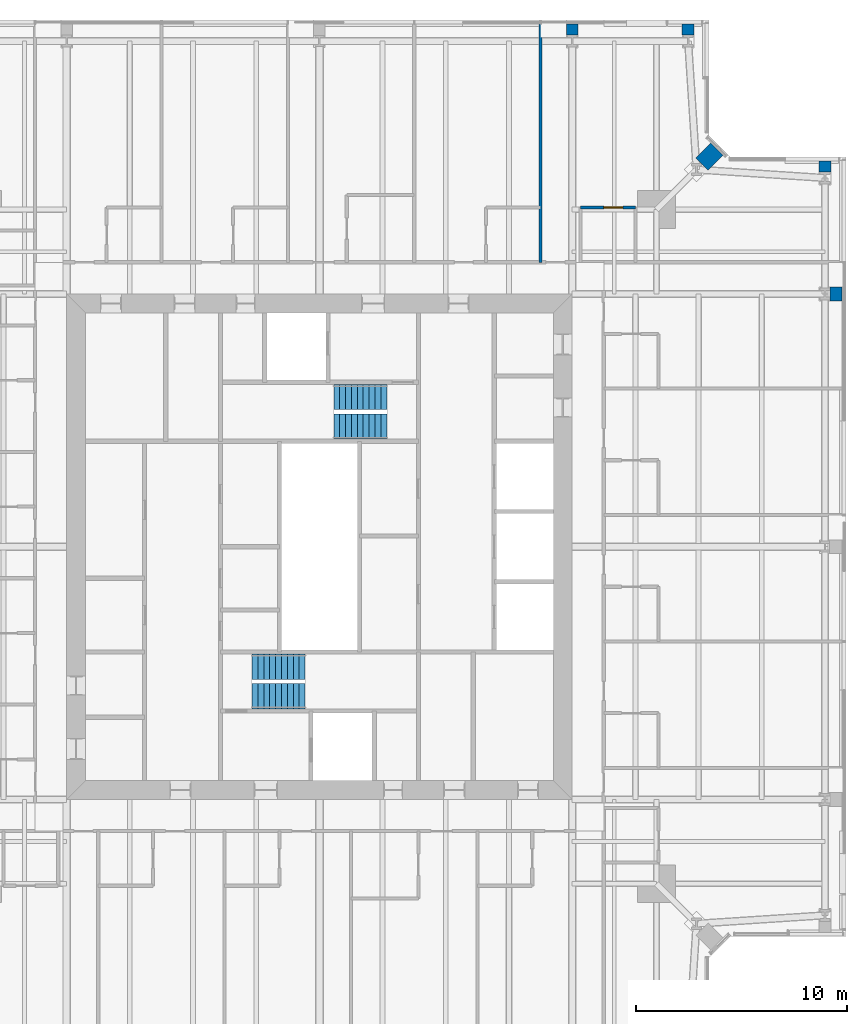
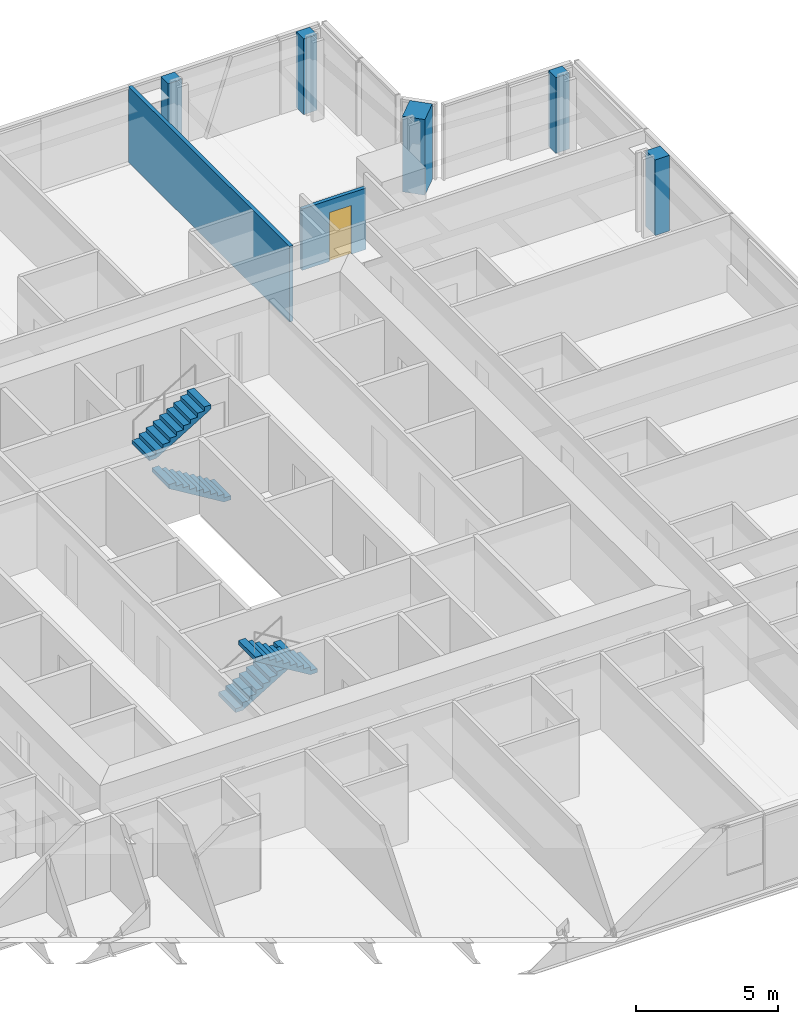
# One storey, part 15 of 20: 7 walls, 4 stair flights, 1 door, 1 opening, 2 elements without a shape of their own.
"""IFC4 building model written with IfcOpenShell, lengths in metres."""

import ifcopenshell
import ifcopenshell.guid

model = None  # the IFC model being written
_history = None  # IfcOwnerHistory: only IFC2X3 demands one
_inside = {}  # id of a spatial element -> (the spatial element, [elements in it])
_under = {}  # id of a project, library or spatial element -> (it, [spatial elements below it])
_declared = {}  # id of a project -> (the project, [libraries it declares])
_typed = {}  # id of a type object -> (the type object, [elements of that type])
_made_of = {}  # id of a material, layer set ... -> (it, [elements and type objects made of it])


def new_model(schema):
    """Start an empty IFC model of exactly this schema.

    Asked for "IFC4X3", IfcOpenShell would pick the latest addendum, in which some entities
    have other attributes; the version numbers below select the first issue.
    IFC2X3 requires an IfcOwnerHistory on every rooted entity: one is made here for all.
    """
    global model, _history
    if schema == "IFC4X3":
        model = ifcopenshell.file(schema_version=(4, 3, 0, 0))
    else:
        model = ifcopenshell.file(schema=schema)
    _inside.clear()
    _under.clear()
    _declared.clear()
    _typed.clear()
    _made_of.clear()
    _history = None
    if model.schema == "IFC2X3":
        org = make("IfcOrganization", Name="unknown")
        user = make(
            "IfcPersonAndOrganization",
            ThePerson=make("IfcPerson", FamilyName="unknown"),
            TheOrganization=org,
        )
        app = make(
            "IfcApplication",
            ApplicationDeveloper=org,
            Version="unknown",
            ApplicationFullName="unknown",
            ApplicationIdentifier="unknown",
        )
        _history = make(
            "IfcOwnerHistory",
            OwningUser=user,
            OwningApplication=app,
            ChangeAction="ADDED",
            CreationDate=0,
        )
    return model


def make(cls, **values):
    """One entity of the class cls with the attributes given. An attribute that is None is left unset."""
    return model.create_entity(
        cls, **{name: value for name, value in values.items() if value is not None}
    )


def rooted(cls, **values):
    """An entity with a GlobalId (a new one), such as an element, a storey or a relation."""
    return make(cls, GlobalId=ifcopenshell.guid.new(), OwnerHistory=_history, **values)


def si_unit(unit_type, name, prefix=None):
    """IfcSIUnit, for example si_unit("LENGTHUNIT", "METRE", prefix="MILLI")."""
    return make("IfcSIUnit", UnitType=unit_type, Prefix=prefix, Name=name)


def assignment(units):
    """IfcUnitAssignment: the units of a project."""
    return None if units is None else make("IfcUnitAssignment", Units=units)


def point(xyz):
    """IfcCartesianPoint."""
    return None if xyz is None else make("IfcCartesianPoint", Coordinates=xyz)


def direction(xyz):
    """IfcDirection."""
    return None if xyz is None else make("IfcDirection", DirectionRatios=xyz)


def frame(location, z_axis=None, x_axis=None):
    """IfcAxis2Placement3D, a coordinate frame: its origin and axes. An axis left out is left unset."""
    return make(
        "IfcAxis2Placement3D",
        Location=point(location),
        Axis=direction(z_axis),
        RefDirection=direction(x_axis),
    )


def frame_2d(location, x_axis=None):
    """IfcAxis2Placement2D, a coordinate frame in the plane: its origin and x axis."""
    return make(
        "IfcAxis2Placement2D", Location=point(location), RefDirection=direction(x_axis)
    )


def origin():
    """The frame at (0, 0, 0) with its axes left unset."""
    return frame((0.0, 0.0, 0.0))


def place(relative_to, where):
    """IfcLocalPlacement: puts the frame where relative to a parent placement (None: the world)."""
    return make(
        "IfcLocalPlacement", PlacementRelTo=relative_to, RelativePlacement=where
    )


def context(
    kind, dimensions, precision=None, world=None, true_north=None, identifier=None
):
    """IfcGeometricRepresentationContext, for example the 3D "Model" context."""
    return make(
        "IfcGeometricRepresentationContext",
        ContextIdentifier=identifier,
        ContextType=kind,
        CoordinateSpaceDimension=dimensions,
        Precision=precision,
        WorldCoordinateSystem=world,
        TrueNorth=true_north,
    )


def subcontext(parent, identifier, kind, view, scale=None):
    """IfcGeometricRepresentationSubContext, for example "Body" below "Model"."""
    return make(
        "IfcGeometricRepresentationSubContext",
        ContextIdentifier=identifier,
        ContextType=kind,
        ParentContext=parent,
        TargetScale=scale,
        TargetView=view,
    )


def project(units=None, contexts=None):
    """IfcProject with its units and contexts."""
    return rooted(
        "IfcProject",
        Name="project",
        RepresentationContexts=contexts,
        UnitsInContext=assignment(units),
    )


def spatial(cls, under=None, at=None, **own):
    """A site, building, storey or space (cls), placed at a placement, below another one or the project."""
    s = rooted(cls, ObjectPlacement=at, **own)
    if under is not None:
        _under.setdefault(under.id(), (under, []))[1].append(s)
    return s


def polyline(points):
    """IfcPolyline through the points."""
    return make("IfcPolyline", Points=[point(p) for p in points])


def profile(cls, at=None, kind="AREA", **sizes):
    """A parametric profile (cls). Its sizes go by their IFC names, for example OverallWidth=200.0."""
    return make(cls, ProfileType=kind, Position=at, **sizes)


def rectangle(**sizes):
    """IfcRectangleProfileDef."""
    return profile("IfcRectangleProfileDef", **sizes)


def outline(outer, holes=None, kind="AREA"):
    """IfcArbitraryClosedProfileDef: a profile drawn as a closed curve; with holes, ...WithVoids."""
    if holes is None:
        return make("IfcArbitraryClosedProfileDef", ProfileType=kind, OuterCurve=outer)
    return make(
        "IfcArbitraryProfileDefWithVoids",
        ProfileType=kind,
        OuterCurve=outer,
        InnerCurves=holes,
    )


def extrude(swept, where, along, depth):
    """IfcExtrudedAreaSolid: the profile swept, set in the frame where, extruded along a direction by depth."""
    return make(
        "IfcExtrudedAreaSolid",
        SweptArea=swept,
        Position=where,
        ExtrudedDirection=direction(along),
        Depth=depth,
    )


def shape(context_of_items, identifier, shape_type, items):
    """IfcShapeRepresentation: the items that make up one representation, for example the "Body"."""
    return make(
        "IfcShapeRepresentation",
        ContextOfItems=context_of_items,
        RepresentationIdentifier=identifier,
        RepresentationType=shape_type,
        Items=items,
    )


def material(Name=None, Category=None):
    """IfcMaterial."""
    return make("IfcMaterial", Name=Name, Category=Category)


def layer(
    of_material, thickness, ventilated=None, Name=None, Category=None, Priority=None
):
    """IfcMaterialLayer: one layer of a wall or slab, of a material (None: an air gap)."""
    return make(
        "IfcMaterialLayer",
        Material=of_material,
        LayerThickness=thickness,
        IsVentilated=ventilated,
        Name=Name,
        Category=Category,
        Priority=Priority,
    )


def layer_set(layers, Name=None):
    """IfcMaterialLayerSet."""
    return make("IfcMaterialLayerSet", MaterialLayers=layers, LayerSetName=Name)


def made_of(thing, what):
    """Note that an element or type object is made of a material, layer set ...; save() writes the relation."""
    if what is not None:
        _made_of.setdefault(what.id(), (what, []))[1].append(thing)
    return thing


def type_object(cls, material=None, **own):
    """A type object (cls), such as IfcWallType, which elements share."""
    return made_of(rooted(cls, **own), material)


def element(
    cls,
    number,
    at=None,
    inside=None,
    cuts=None,
    type_object=None,
    material=None,
    context=None,
    identifier="Body",
    shape_type=None,
    held_by="IfcProductDefinitionShape",
    body=None,
    shapes=None,
    **own,
):
    """One element of the class cls, such as IfcWall. Its Tag is "e" and its number.

    at: its placement. inside: the storey or other place that contains it. cuts: it is an
    opening in that element (IfcRelVoidsElement). A single representation is given by context,
    identifier, shape_type and body (its items); several are given by shapes. held_by: the class
    of the entity that holds the representations. save() writes the other relations.
    """
    e = rooted(cls, Tag="e%d" % number, ObjectPlacement=at, **own)
    if body is not None:
        shapes = [shape(context, identifier, shape_type, body)]
    if shapes is not None:
        e.Representation = make(held_by, Representations=shapes)
    if inside is not None:
        _inside.setdefault(inside.id(), (inside, []))[1].append(e)
    if cuts is not None:
        rooted(
            "IfcRelVoidsElement", RelatingBuildingElement=cuts, RelatedOpeningElement=e
        )
    if type_object is not None:
        _typed.setdefault(type_object.id(), (type_object, []))[1].append(e)
    return made_of(e, material)


def fill(opening, filler):
    """IfcRelFillsElement: the door or window that sits in an opening."""
    return rooted(
        "IfcRelFillsElement",
        RelatingOpeningElement=opening,
        RelatedBuildingElement=filler,
    )


def aggregate(whole, parts):
    """IfcRelAggregates: a whole, such as a stair, and the parts it consists of."""
    return rooted("IfcRelAggregates", RelatingObject=whole, RelatedObjects=parts)


def save(model, path):
    """Write the relations noted so far, then the file.

    IfcRelAggregates (storeys below a building ...), IfcRelContainedInSpatialStructure (elements
    in a storey), IfcRelDefinesByType, IfcRelAssociatesMaterial and IfcRelDeclares: one each for
    every whole, place, type object, material and project.
    """
    for whole, parts in _under.values():
        aggregate(whole, parts)
    for where, things in _inside.values():
        rooted(
            "IfcRelContainedInSpatialStructure",
            RelatedElements=things,
            RelatingStructure=where,
        )
    for kind, things in _typed.values():
        rooted("IfcRelDefinesByType", RelatedObjects=things, RelatingType=kind)
    for what, things in _made_of.values():
        rooted("IfcRelAssociatesMaterial", RelatedObjects=things, RelatingMaterial=what)
    for by, libraries in _declared.values():
        rooted("IfcRelDeclares", RelatingContext=by, RelatedDefinitions=libraries)
    model.write(path)


model = new_model("IFC4")

# Units and contexts
model_context = context("Model", 3, precision=1e-05, world=origin(), true_north=direction((0.0, 1.0)))
body_context = subcontext(model_context, "Body", "Model", "MODEL_VIEW")
ifc_project = project(units=[si_unit("LENGTHUNIT", "METRE"), si_unit("AREAUNIT", "SQUARE_METRE"), si_unit("VOLUMEUNIT", "CUBIC_METRE"), si_unit("PLANEANGLEUNIT", "RADIAN"), si_unit("MASSUNIT", "GRAM", prefix="KILO")], contexts=[model_context])

# Site, building, storey
site_placement = place(None, origin())
site = spatial("IfcSite", under=ifc_project, at=site_placement, CompositionType="ELEMENT")
building_placement = place(site_placement, origin())
building = spatial("IfcBuilding", under=site, at=building_placement, Name="Fenwick Lantern Interchange", CompositionType="ELEMENT")
storey_placement = place(building_placement, frame((0.0, 0.0, 249.199951171875)))
storey = spatial("IfcBuildingStorey", under=building, at=storey_placement, Name="L58", CompositionType="ELEMENT", Elevation=249.199951171875)

# Walls
ifc_material_1 = material(Name="Fire-rated gypsum board encasement on steel studs, 2 hour", Category="steel")
ifc_layer_1 = layer(ifc_material_1, 0.554931640625)
ifc_layer_set_1 = layer_set([ifc_layer_1], Name="COLUMN PIER 555")
wall_type_1 = type_object("IfcWallType", Name="COLUMN PIER 555", PredefinedType="PARTITIONING", material=ifc_layer_set_1)
for number, where, z_axis, x_axis, name in (
    (1, (49.0, 43.31005859375, 0.0), (0.0, 0.0, 1.0), (0.0, -1.0, 0.0), "L58/W/PIER/CE5"),
    (2, (42.5, 49.81005859375, 0.0), (0.0, 0.0, 1.0), (0.0, -1.0, 0.0), "L58/W/PIER/CN1"),
    (3, (37.0, 49.81005859375, 0.0), (0.0, 0.0, 1.0), (0.0, -1.0, 0.0), "L58/W/PIER/CN2"),
):
    element("IfcWall", number, at=place(storey_placement, frame(where, z_axis=z_axis, x_axis=x_axis)), inside=storey, type_object=wall_type_1, Name=name, PredefinedType="PARTITIONING", context=body_context, shape_type="SweptSolid", body=[
        extrude(rectangle(XDim=0.525634765625, YDim=0.554931640625, at=frame_2d((0.2626953125, 0.0))), origin(), (0.0, 0.0, 1.0), 3.25),
    ])
ifc_layer_2 = layer(ifc_material_1, 0.6689453125)
ifc_layer_set_2 = layer_set([ifc_layer_2], Name="COLUMN PIER 669")
wall_type_2 = type_object("IfcWallType", Name="COLUMN PIER 669", PredefinedType="PARTITIONING", material=ifc_layer_set_2)
wall_1_placement = place(storey_placement, frame((49.81005859375, 37.0, 0.0), z_axis=(0.0, 0.0, 1.0), x_axis=(-1.0, 0.0, 0.0)))
element("IfcWall", 4, at=wall_1_placement, inside=storey, type_object=wall_type_2, Name="L58/W/PIER/CE4", PredefinedType="PARTITIONING", context=body_context, shape_type="SweptSolid", body=[
    extrude(rectangle(XDim=0.582763671875, YDim=0.6689453125, at=frame_2d((0.29150390625, 0.0))), origin(), (0.0, 0.0, 1.0), 3.25),
])
ifc_layer_3 = layer(ifc_material_1, 0.823974609375)
ifc_layer_set_3 = layer_set([ifc_layer_3], Name="COLUMN PIER 824")
wall_type_3 = type_object("IfcWallType", Name="COLUMN PIER 824", PredefinedType="PARTITIONING", material=ifc_layer_set_3)
wall_2_placement = place(storey_placement, frame((43.86572265625, 43.86572265625, 0.0), z_axis=(0.0, 0.0, 1.0), x_axis=(-0.707106781187, -0.707106781187, 0.0)))
element("IfcWall", 5, at=wall_2_placement, inside=storey, type_object=wall_type_3, Name="L58/W/PIER/CER", PredefinedType="PARTITIONING", context=body_context, shape_type="SweptSolid", body=[
    extrude(rectangle(XDim=1.003662109375, YDim=0.823974609375, at=frame_2d((0.501953125, 0.0))), origin(), (0.0, 0.0, 1.0), 3.25),
])

# Wall, opening, door
ifc_material_2 = material(Name="Gypsum board on steel studs, moisture resistant", Category="steel")
ifc_layer_4 = layer(ifc_material_2, 0.14990234375)
ifc_layer_set_4 = layer_set([ifc_layer_4], Name="EN-SUITE WALL 150")
wall_type_4 = type_object("IfcWallType", Name="EN-SUITE WALL 150", PredefinedType="PARTITIONING", material=ifc_layer_set_4)
wall_3_placement = place(storey_placement, frame((40.0, 41.10009765625, 0.0), z_axis=(0.0, 0.0, 1.0), x_axis=(-1.0, 0.0, 0.0)))
wall_3 = element("IfcWall", 6, at=wall_3_placement, inside=storey, type_object=wall_type_4, Name="L58/W/HOTEL/N/U1BW", PredefinedType="PARTITIONING", context=body_context, shape_type="SweptSolid", body=[
    extrude(rectangle(XDim=2.60009765625, YDim=0.14990234375, at=frame_2d((1.300048828125, 0.0))), origin(), (0.0, 0.0, 1.0), 2.637939453125),
])
opening_placement = place(wall_3_placement, frame((0.60009765625, 0.0, 0.0)))
opening = element("IfcOpeningElement", 7, at=opening_placement, cuts=wall_3, Name="Opening L58-D045", PredefinedType="OPENING", context=body_context, shape_type="SweptSolid", body=[
    extrude(rectangle(XDim=0.89990234375, YDim=2.10009765625, at=frame_2d((0.449951171875, 1.050048828125))), frame((0.0, 0.0849609375, 0.0), z_axis=(0.0, -1.0, 0.0), x_axis=(1.0, 0.0, 0.0)), (0.0, 0.0, 1.0), 0.169921875),
])
ifc_material_3 = material(Name="Hardwood door and steel frame", Category="steel")
door_type = type_object("IfcDoorType", Name="EN-SUITE DOOR 900 X 2100", OperationType="SINGLE_SWING_LEFT", PredefinedType="DOOR", material=ifc_material_3)
door_placement = place(opening_placement, origin())
door = element("IfcDoor", 8, at=door_placement, inside=storey, type_object=door_type, Name="En-suite door", OperationType="SINGLE_SWING_LEFT", OverallHeight=2.10009765625, OverallWidth=0.89990234375, PredefinedType="DOOR", context=body_context, shape_type="SweptSolid", body=[
    extrude(rectangle(XDim=0.89990234375, YDim=2.10009765625, at=frame_2d((0.449951171875, 1.050048828125))), frame((0.0, 0.02490234375, 0.0), z_axis=(0.0, -1.0, 0.0), x_axis=(1.0, 0.0, 0.0)), (0.0, 0.0, 1.0), 0.050048828125),
])
fill(opening, door)

# Wall
ifc_material_4 = material(Name="Gypsum board on steel studs, 1 hour acoustic", Category="steel")
ifc_layer_5 = layer(ifc_material_4, 0.14990234375)
ifc_layer_set_5 = layer_set([ifc_layer_5], Name="PARTY WALL 150")
wall_type_5 = type_object("IfcWallType", Name="PARTY WALL 150", PredefinedType="PARTITIONING", material=ifc_layer_set_5)
wall_4_placement = place(storey_placement, frame((35.5, 49.85009765625, 0.0), z_axis=(0.0, 0.0, 1.0), x_axis=(0.0, -1.0, 0.0)))
element("IfcWall", 9, at=wall_4_placement, inside=storey, type_object=wall_type_5, Name="L58/W/HOTEL/N/U2PW", PredefinedType="PARTITIONING", context=body_context, shape_type="SweptSolid", body=[
    extrude(rectangle(XDim=11.35009765625, YDim=0.14990234375, at=frame_2d((5.675048828125, 0.0))), origin(), (0.0, 0.0, 1.0), 3.25),
])

# Stair, stair flights
ifc_material_5 = material(Name="Precast concrete f'c 35 MPa", Category="concrete")
stair_type = type_object("IfcStairType", Name="EXIT STAIR 1200", PredefinedType="HALF_TURN_STAIR", material=ifc_material_5)
stair_1_placement = place(storey_placement, origin())
stair_1 = element("IfcStair", 10, at=stair_1_placement, inside=storey, type_object=stair_type, Name="Exit stair ST1", PredefinedType="HALF_TURN_STAIR")
stair_flight_type = type_object("IfcStairFlightType", Name="STAIR FLIGHT 1200", PredefinedType="STRAIGHT", material=ifc_material_5)
stair_flight_1_placement = place(storey_placement, frame((21.800048828125, 19.300048828125, 0.0), z_axis=(0.0, 0.0, 1.0), x_axis=(1.0, 0.0, 0.0)))
stair_flight_1 = element("IfcStairFlight", 11, at=stair_flight_1_placement, type_object=stair_flight_type, Name="ST1 flight 1", NumberOfRisers=10, NumberOfTreads=9, PredefinedType="STRAIGHT", RiserHeight=0.17, TreadLength=0.28, context=body_context, shape_type="SweptSolid", body=[
    extrude(outline(polyline([(0.0, 0.0), (0.0, 0.169921875), (0.280029296875, 0.169921875), (0.280029296875, 0.340087890625), (0.56005859375, 0.340087890625), (0.56005859375, 0.510009765625), (0.840087890625, 0.510009765625), (0.840087890625, 0.679931640625), (1.1201171875, 0.679931640625), (1.1201171875, 0.85009765625), (1.39990234375, 0.85009765625), (1.39990234375, 1.02001953125), (1.679931640625, 1.02001953125), (1.679931640625, 1.18994140625), (1.9599609375, 1.18994140625), (1.9599609375, 1.360107421875), (2.239990234375, 1.360107421875), (2.239990234375, 1.530029296875), (2.52001953125, 1.530029296875), (2.52001953125, 1.699951171875), (2.52001953125, 1.354736328125), (0.288818359375, 0.0), (0.0, 0.0)])), frame((0.0, 0.60009765625, 0.0), z_axis=(0.0, -1.0, 0.0), x_axis=(1.0, 0.0, 0.0)), (0.0, 0.0, 1.0), 1.199951171875),
])
stair_flight_2_placement = place(storey_placement, frame((24.320068359375, 17.89990234375, 1.699951171875), z_axis=(0.0, 0.0, 1.0), x_axis=(-1.0, 0.0, 0.0)))
stair_flight_2 = element("IfcStairFlight", 12, at=stair_flight_2_placement, type_object=stair_flight_type, Name="ST1 flight 2", NumberOfRisers=10, NumberOfTreads=9, PredefinedType="STRAIGHT", RiserHeight=0.17, TreadLength=0.28, context=body_context, shape_type="SweptSolid", body=[
    extrude(outline(polyline([(0.0, 0.0), (0.0, 0.169921875), (0.280029296875, 0.169921875), (0.280029296875, 0.340087890625), (0.56005859375, 0.340087890625), (0.56005859375, 0.510009765625), (0.840087890625, 0.510009765625), (0.840087890625, 0.679931640625), (1.1201171875, 0.679931640625), (1.1201171875, 0.85009765625), (1.39990234375, 0.85009765625), (1.39990234375, 1.02001953125), (1.679931640625, 1.02001953125), (1.679931640625, 1.18994140625), (1.9599609375, 1.18994140625), (1.9599609375, 1.360107421875), (2.239990234375, 1.360107421875), (2.239990234375, 1.530029296875), (2.52001953125, 1.530029296875), (2.52001953125, 1.699951171875), (2.52001953125, 1.354736328125), (0.288818359375, 0.0), (0.0, 0.0)])), frame((0.0, 0.60009765625, 0.0), z_axis=(0.0, -1.0, 0.0), x_axis=(1.0, 0.0, 0.0)), (0.0, 0.0, 1.0), 1.199951171875),
])
aggregate(stair_1, [stair_flight_1, stair_flight_2])

stair_2_placement = place(storey_placement, origin())
stair_2 = element("IfcStair", 13, at=stair_2_placement, inside=storey, type_object=stair_type, Name="Exit stair ST2", PredefinedType="HALF_TURN_STAIR")
stair_flight_3_placement = place(storey_placement, frame((28.199951171875, 30.699951171875, 0.0), z_axis=(0.0, 0.0, 1.0), x_axis=(-1.0, 0.0, 0.0)))
stair_flight_3 = element("IfcStairFlight", 14, at=stair_flight_3_placement, type_object=stair_flight_type, Name="ST2 flight 1", NumberOfRisers=10, NumberOfTreads=9, PredefinedType="STRAIGHT", RiserHeight=0.17, TreadLength=0.28, context=body_context, shape_type="SweptSolid", body=[
    extrude(outline(polyline([(0.0, 0.0), (0.0, 0.169921875), (0.280029296875, 0.169921875), (0.280029296875, 0.340087890625), (0.56005859375, 0.340087890625), (0.56005859375, 0.510009765625), (0.840087890625, 0.510009765625), (0.840087890625, 0.679931640625), (1.1201171875, 0.679931640625), (1.1201171875, 0.85009765625), (1.39990234375, 0.85009765625), (1.39990234375, 1.02001953125), (1.679931640625, 1.02001953125), (1.679931640625, 1.18994140625), (1.9599609375, 1.18994140625), (1.9599609375, 1.360107421875), (2.239990234375, 1.360107421875), (2.239990234375, 1.530029296875), (2.52001953125, 1.530029296875), (2.52001953125, 1.699951171875), (2.52001953125, 1.354736328125), (0.288818359375, 0.0), (0.0, 0.0)])), frame((0.0, 0.60009765625, 0.0), z_axis=(0.0, -1.0, 0.0), x_axis=(1.0, 0.0, 0.0)), (0.0, 0.0, 1.0), 1.199951171875),
])
stair_flight_4_placement = place(storey_placement, frame((25.679931640625, 32.10009765625, 1.699951171875), z_axis=(0.0, 0.0, 1.0), x_axis=(1.0, 0.0, 0.0)))
stair_flight_4 = element("IfcStairFlight", 15, at=stair_flight_4_placement, type_object=stair_flight_type, Name="ST2 flight 2", NumberOfRisers=10, NumberOfTreads=9, PredefinedType="STRAIGHT", RiserHeight=0.17, TreadLength=0.28, context=body_context, shape_type="SweptSolid", body=[
    extrude(outline(polyline([(0.0, 0.0), (0.0, 0.169921875), (0.280029296875, 0.169921875), (0.280029296875, 0.340087890625), (0.56005859375, 0.340087890625), (0.56005859375, 0.510009765625), (0.840087890625, 0.510009765625), (0.840087890625, 0.679931640625), (1.1201171875, 0.679931640625), (1.1201171875, 0.85009765625), (1.39990234375, 0.85009765625), (1.39990234375, 1.02001953125), (1.679931640625, 1.02001953125), (1.679931640625, 1.18994140625), (1.9599609375, 1.18994140625), (1.9599609375, 1.360107421875), (2.239990234375, 1.360107421875), (2.239990234375, 1.530029296875), (2.52001953125, 1.530029296875), (2.52001953125, 1.699951171875), (2.52001953125, 1.354736328125), (0.288818359375, 0.0), (0.0, 0.0)])), frame((0.0, 0.60009765625, 0.0), z_axis=(0.0, -1.0, 0.0), x_axis=(1.0, 0.0, 0.0)), (0.0, 0.0, 1.0), 1.199951171875),
])
aggregate(stair_2, [stair_flight_3, stair_flight_4])

save(model, "model.ifc")
